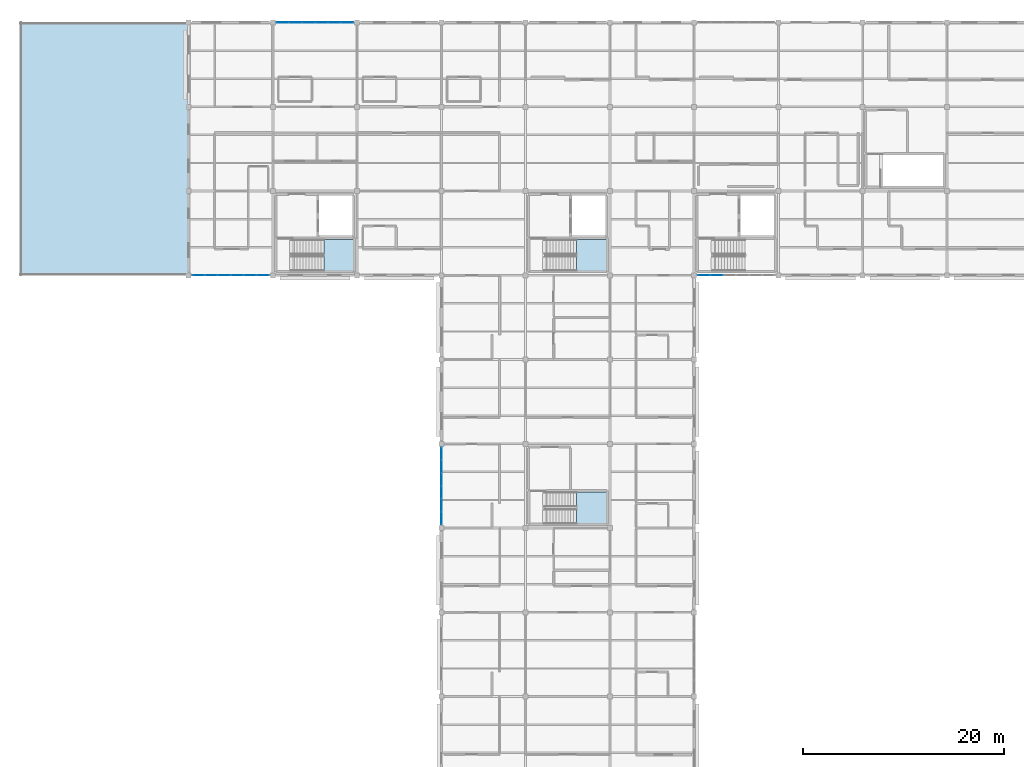
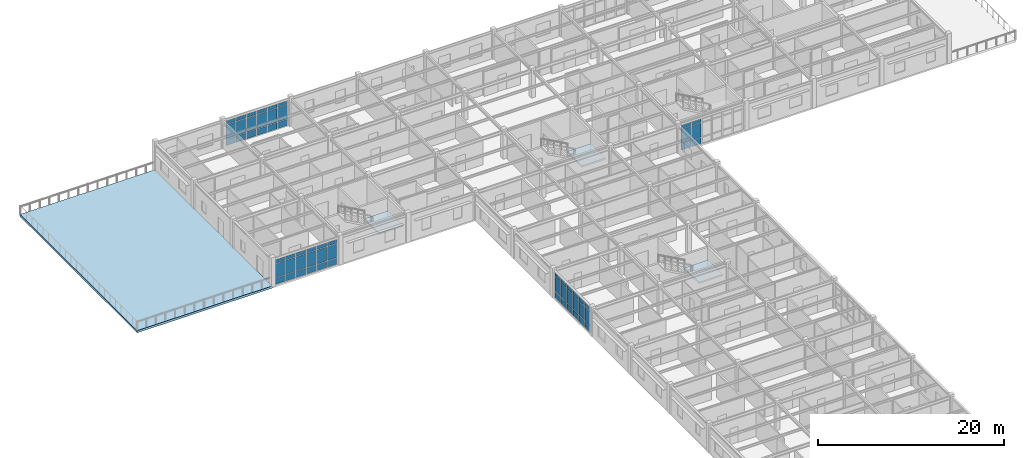
# One storey, part 30 of 53: 60 plates, 4 slabs, 7 elements without a shape of their own.
"""IFC4 building model written with IfcOpenShell, lengths in metres."""

from ifc_helpers import new_model, si_unit, direction, frame, origin, origin_2d, place, context, subcontext, project, spatial, polyline, rectangle, outline, extrude, material, layer, layer_set, type_object, element, aggregate, save


model = new_model("IFC4")

# Units and contexts
model_context = context("Model", 3, precision=1e-05, world=origin(), true_north=direction((0.0, 1.0)))
body_context = subcontext(model_context, "Body", "Model", "MODEL_VIEW")
ifc_project = project(units=[si_unit("LENGTHUNIT", "METRE"), si_unit("AREAUNIT", "SQUARE_METRE"), si_unit("VOLUMEUNIT", "CUBIC_METRE"), si_unit("PLANEANGLEUNIT", "RADIAN"), si_unit("MASSUNIT", "GRAM", prefix="KILO")], contexts=[model_context])

# Site, building, storey
site_placement = place(None, origin())
site = spatial("IfcSite", under=ifc_project, at=site_placement, CompositionType="ELEMENT")
building_placement = place(site_placement, origin())
building = spatial("IfcBuilding", under=site, at=building_placement, Name="Bramfleet General Hospital", CompositionType="ELEMENT")
storey_placement = place(building_placement, frame((0.0, 0.0, 26.39990234375)))
storey = spatial("IfcBuildingStorey", under=building, at=storey_placement, Name="L06", CompositionType="ELEMENT", Elevation=26.39990234375)

# Curtain wall, plates
ifc_material_1 = material(Name="Anodised aluminium and low-E triple glazing", Category="aluminium")
ifc_layer_1 = layer(ifc_material_1, 0.179931640625, Name="CWT-CW-15")
ifc_layer_set_1 = layer_set([ifc_layer_1], Name="Anodised aluminium and low-E triple glazing")
curtain_wall_type_1 = type_object("IfcCurtainWallType", Name="CWT-CW-15", PredefinedType="USERDEFINED", material=ifc_layer_set_1)
curtain_wall_1_placement = place(storey_placement, origin())
curtain_wall_1 = element("IfcCurtainWall", 1, at=curtain_wall_1_placement, inside=storey, type_object=curtain_wall_type_1, Name="L06 Curtain Wall 213", ObjectType="Stick curtain wall", PredefinedType="USERDEFINED")
ifc_material_2 = material(Name="Low-E laminated safety glass", Category="glass")
ifc_layer_2 = layer(ifc_material_2, 0.028076171875, Name="CWP-GLZ-1")
ifc_layer_set_2 = layer_set([ifc_layer_2], Name="Low-E laminated safety glass")
plate_type_1 = type_object("IfcPlateType", Name="CWP-GLZ-1", PredefinedType="CURTAIN_PANEL", material=ifc_layer_set_2)
plate_1_placement = place(storey_placement, frame((74.611572265625, 92.39990234375, 0.06494140625), z_axis=(0.0, 0.0, 1.0), x_axis=(-1.0, 0.0, 0.0)))
plate_1 = element("IfcPlate", 2, at=plate_1_placement, type_object=plate_type_1, Name="CW-15 panel 1.1", PredefinedType="CURTAIN_PANEL", context=body_context, shape_type="SweptSolid", body=[
    extrude(rectangle(XDim=1.186767578125, YDim=0.028076171875, at=origin_2d()), origin(), (0.0, 0.0, 1.0), 0.802490234375),
])
plate_2_placement = place(storey_placement, frame((74.611572265625, 92.39990234375, 0.9326171875), z_axis=(0.0, 0.0, 1.0), x_axis=(-1.0, 0.0, 0.0)))
plate_2 = element("IfcPlate", 3, at=plate_2_placement, type_object=plate_type_1, Name="CW-15 panel 1.2", PredefinedType="CURTAIN_PANEL", context=body_context, shape_type="SweptSolid", body=[
    extrude(rectangle(XDim=1.186767578125, YDim=0.028076171875, at=origin_2d()), origin(), (0.0, 0.0, 1.0), 1.844970703125),
])
plate_3_placement = place(storey_placement, frame((74.611572265625, 92.39990234375, 2.8427734375), z_axis=(0.0, 0.0, 1.0), x_axis=(-1.0, 0.0, 0.0)))
plate_3 = element("IfcPlate", 4, at=plate_3_placement, type_object=plate_type_1, Name="CW-15 panel 1.3", PredefinedType="CURTAIN_PANEL", context=body_context, shape_type="SweptSolid", body=[
    extrude(rectangle(XDim=1.186767578125, YDim=0.028076171875, at=origin_2d()), origin(), (0.0, 0.0, 1.0), 0.452392578125),
])
plate_4_placement = place(storey_placement, frame((73.33740234375, 92.39990234375, 0.06494140625), z_axis=(0.0, 0.0, 1.0), x_axis=(-1.0, 0.0, 0.0)))
plate_4 = element("IfcPlate", 5, at=plate_4_placement, type_object=plate_type_1, Name="CW-15 panel 2.1", PredefinedType="CURTAIN_PANEL", context=body_context, shape_type="SweptSolid", body=[
    extrude(rectangle(XDim=1.2216796875, YDim=0.028076171875, at=origin_2d()), origin(), (0.0, 0.0, 1.0), 0.802490234375),
])
plate_5_placement = place(storey_placement, frame((73.33740234375, 92.39990234375, 0.9326171875), z_axis=(0.0, 0.0, 1.0), x_axis=(-1.0, 0.0, 0.0)))
plate_5 = element("IfcPlate", 6, at=plate_5_placement, type_object=plate_type_1, Name="CW-15 panel 2.2", PredefinedType="CURTAIN_PANEL", context=body_context, shape_type="SweptSolid", body=[
    extrude(rectangle(XDim=1.2216796875, YDim=0.028076171875, at=origin_2d()), origin(), (0.0, 0.0, 1.0), 1.844970703125),
])
plate_6_placement = place(storey_placement, frame((73.33740234375, 92.39990234375, 2.8427734375), z_axis=(0.0, 0.0, 1.0), x_axis=(-1.0, 0.0, 0.0)))
plate_6 = element("IfcPlate", 7, at=plate_6_placement, type_object=plate_type_1, Name="CW-15 panel 2.3", PredefinedType="CURTAIN_PANEL", context=body_context, shape_type="SweptSolid", body=[
    extrude(rectangle(XDim=1.2216796875, YDim=0.028076171875, at=origin_2d()), origin(), (0.0, 0.0, 1.0), 0.452392578125),
])
plate_7_placement = place(storey_placement, frame((72.0458984375, 92.39990234375, 0.06494140625), z_axis=(0.0, 0.0, 1.0), x_axis=(-1.0, 0.0, 0.0)))
plate_7 = element("IfcPlate", 8, at=plate_7_placement, type_object=plate_type_1, Name="CW-15 panel 3.1", PredefinedType="CURTAIN_PANEL", context=body_context, shape_type="SweptSolid", body=[
    extrude(rectangle(XDim=1.2216796875, YDim=0.028076171875, at=origin_2d()), origin(), (0.0, 0.0, 1.0), 0.802490234375),
])
plate_8_placement = place(storey_placement, frame((72.0458984375, 92.39990234375, 0.9326171875), z_axis=(0.0, 0.0, 1.0), x_axis=(-1.0, 0.0, 0.0)))
plate_8 = element("IfcPlate", 9, at=plate_8_placement, type_object=plate_type_1, Name="CW-15 panel 3.2", PredefinedType="CURTAIN_PANEL", context=body_context, shape_type="SweptSolid", body=[
    extrude(rectangle(XDim=1.2216796875, YDim=0.028076171875, at=origin_2d()), origin(), (0.0, 0.0, 1.0), 1.844970703125),
])
plate_9_placement = place(storey_placement, frame((72.0458984375, 92.39990234375, 2.8427734375), z_axis=(0.0, 0.0, 1.0), x_axis=(-1.0, 0.0, 0.0)))
plate_9 = element("IfcPlate", 10, at=plate_9_placement, type_object=plate_type_1, Name="CW-15 panel 3.3", PredefinedType="CURTAIN_PANEL", context=body_context, shape_type="SweptSolid", body=[
    extrude(rectangle(XDim=1.2216796875, YDim=0.028076171875, at=origin_2d()), origin(), (0.0, 0.0, 1.0), 0.452392578125),
])
plate_10_placement = place(storey_placement, frame((70.754150390625, 92.39990234375, 0.06494140625), z_axis=(0.0, 0.0, 1.0), x_axis=(-1.0, 0.0, 0.0)))
plate_10 = element("IfcPlate", 11, at=plate_10_placement, type_object=plate_type_1, Name="CW-15 panel 4.1", PredefinedType="CURTAIN_PANEL", context=body_context, shape_type="SweptSolid", body=[
    extrude(rectangle(XDim=1.2216796875, YDim=0.028076171875, at=origin_2d()), origin(), (0.0, 0.0, 1.0), 0.802490234375),
])
plate_11_placement = place(storey_placement, frame((70.754150390625, 92.39990234375, 0.9326171875), z_axis=(0.0, 0.0, 1.0), x_axis=(-1.0, 0.0, 0.0)))
plate_11 = element("IfcPlate", 12, at=plate_11_placement, type_object=plate_type_1, Name="CW-15 panel 4.2", PredefinedType="CURTAIN_PANEL", context=body_context, shape_type="SweptSolid", body=[
    extrude(rectangle(XDim=1.2216796875, YDim=0.028076171875, at=origin_2d()), origin(), (0.0, 0.0, 1.0), 1.844970703125),
])
plate_12_placement = place(storey_placement, frame((70.754150390625, 92.39990234375, 2.8427734375), z_axis=(0.0, 0.0, 1.0), x_axis=(-1.0, 0.0, 0.0)))
plate_12 = element("IfcPlate", 13, at=plate_12_placement, type_object=plate_type_1, Name="CW-15 panel 4.3", PredefinedType="CURTAIN_PANEL", context=body_context, shape_type="SweptSolid", body=[
    extrude(rectangle(XDim=1.2216796875, YDim=0.028076171875, at=origin_2d()), origin(), (0.0, 0.0, 1.0), 0.452392578125),
])
plate_13_placement = place(storey_placement, frame((69.46240234375, 92.39990234375, 0.06494140625), z_axis=(0.0, 0.0, 1.0), x_axis=(-1.0, 0.0, 0.0)))
plate_13 = element("IfcPlate", 14, at=plate_13_placement, type_object=plate_type_1, Name="CW-15 panel 5.1", PredefinedType="CURTAIN_PANEL", context=body_context, shape_type="SweptSolid", body=[
    extrude(rectangle(XDim=1.2216796875, YDim=0.028076171875, at=origin_2d()), origin(), (0.0, 0.0, 1.0), 0.802490234375),
])
plate_14_placement = place(storey_placement, frame((69.46240234375, 92.39990234375, 0.9326171875), z_axis=(0.0, 0.0, 1.0), x_axis=(-1.0, 0.0, 0.0)))
plate_14 = element("IfcPlate", 15, at=plate_14_placement, type_object=plate_type_1, Name="CW-15 panel 5.2", PredefinedType="CURTAIN_PANEL", context=body_context, shape_type="SweptSolid", body=[
    extrude(rectangle(XDim=1.2216796875, YDim=0.028076171875, at=origin_2d()), origin(), (0.0, 0.0, 1.0), 1.844970703125),
])
plate_15_placement = place(storey_placement, frame((69.46240234375, 92.39990234375, 2.8427734375), z_axis=(0.0, 0.0, 1.0), x_axis=(-1.0, 0.0, 0.0)))
plate_15 = element("IfcPlate", 16, at=plate_15_placement, type_object=plate_type_1, Name="CW-15 panel 5.3", PredefinedType="CURTAIN_PANEL", context=body_context, shape_type="SweptSolid", body=[
    extrude(rectangle(XDim=1.2216796875, YDim=0.028076171875, at=origin_2d()), origin(), (0.0, 0.0, 1.0), 0.452392578125),
])
plate_16_placement = place(storey_placement, frame((68.188232421875, 92.39990234375, 0.06494140625), z_axis=(0.0, 0.0, 1.0), x_axis=(-1.0, 0.0, 0.0)))
plate_16 = element("IfcPlate", 17, at=plate_16_placement, type_object=plate_type_1, Name="CW-15 panel 6.1", PredefinedType="CURTAIN_PANEL", context=body_context, shape_type="SweptSolid", body=[
    extrude(rectangle(XDim=1.186767578125, YDim=0.028076171875, at=origin_2d()), origin(), (0.0, 0.0, 1.0), 0.802490234375),
])
plate_17_placement = place(storey_placement, frame((68.188232421875, 92.39990234375, 0.9326171875), z_axis=(0.0, 0.0, 1.0), x_axis=(-1.0, 0.0, 0.0)))
plate_17 = element("IfcPlate", 18, at=plate_17_placement, type_object=plate_type_1, Name="CW-15 panel 6.2", PredefinedType="CURTAIN_PANEL", context=body_context, shape_type="SweptSolid", body=[
    extrude(rectangle(XDim=1.186767578125, YDim=0.028076171875, at=origin_2d()), origin(), (0.0, 0.0, 1.0), 1.844970703125),
])
plate_18_placement = place(storey_placement, frame((68.188232421875, 92.39990234375, 2.8427734375), z_axis=(0.0, 0.0, 1.0), x_axis=(-1.0, 0.0, 0.0)))
plate_18 = element("IfcPlate", 19, at=plate_18_placement, type_object=plate_type_1, Name="CW-15 panel 6.3", PredefinedType="CURTAIN_PANEL", context=body_context, shape_type="SweptSolid", body=[
    extrude(rectangle(XDim=1.186767578125, YDim=0.028076171875, at=origin_2d()), origin(), (0.0, 0.0, 1.0), 0.452392578125),
])
aggregate(curtain_wall_1, [plate_1, plate_2, plate_3, plate_4, plate_5, plate_6, plate_7, plate_8, plate_9, plate_10, plate_11, plate_12, plate_13, plate_14, plate_15, plate_16, plate_17, plate_18])

ifc_layer_3 = layer(ifc_material_1, 0.179931640625, Name="CWT-CW-01")
ifc_layer_set_3 = layer_set([ifc_layer_3], Name="Anodised aluminium and low-E triple glazing")
curtain_wall_type_2 = type_object("IfcCurtainWallType", Name="CWT-CW-01", PredefinedType="USERDEFINED", material=ifc_layer_set_3)
curtain_wall_2_placement = place(storey_placement, origin())
curtain_wall_2 = element("IfcCurtainWall", 20, at=curtain_wall_2_placement, inside=storey, type_object=curtain_wall_type_2, Name="L06 Curtain Wall 217", ObjectType="Unitised curtain wall", PredefinedType="USERDEFINED")
plate_19_placement = place(storey_placement, frame((119.862548828125, 92.39990234375, 0.06494140625), z_axis=(0.0, 0.0, 1.0), x_axis=(-1.0, 0.0, 0.0)))
plate_19 = element("IfcPlate", 21, at=plate_19_placement, type_object=plate_type_1, Name="CW-01 panel 5.1", PredefinedType="CURTAIN_PANEL", context=body_context, shape_type="SweptSolid", body=[
    extrude(rectangle(XDim=1.2216796875, YDim=0.028076171875, at=origin_2d()), origin(), (0.0, 0.0, 1.0), 0.802490234375),
])
plate_20_placement = place(storey_placement, frame((119.862548828125, 92.39990234375, 0.9326171875), z_axis=(0.0, 0.0, 1.0), x_axis=(-1.0, 0.0, 0.0)))
plate_20 = element("IfcPlate", 22, at=plate_20_placement, type_object=plate_type_1, Name="CW-01 panel 5.2", PredefinedType="CURTAIN_PANEL", context=body_context, shape_type="SweptSolid", body=[
    extrude(rectangle(XDim=1.2216796875, YDim=0.028076171875, at=origin_2d()), origin(), (0.0, 0.0, 1.0), 1.844970703125),
])
plate_21_placement = place(storey_placement, frame((119.862548828125, 92.39990234375, 2.8427734375), z_axis=(0.0, 0.0, 1.0), x_axis=(-1.0, 0.0, 0.0)))
plate_21 = element("IfcPlate", 23, at=plate_21_placement, type_object=plate_type_1, Name="CW-01 panel 5.3", PredefinedType="CURTAIN_PANEL", context=body_context, shape_type="SweptSolid", body=[
    extrude(rectangle(XDim=1.2216796875, YDim=0.028076171875, at=origin_2d()), origin(), (0.0, 0.0, 1.0), 0.452392578125),
])
plate_22_placement = place(storey_placement, frame((118.58837890625, 92.39990234375, 0.06494140625), z_axis=(0.0, 0.0, 1.0), x_axis=(-1.0, 0.0, 0.0)))
plate_22 = element("IfcPlate", 24, at=plate_22_placement, type_object=plate_type_1, Name="CW-01 panel 6.1", PredefinedType="CURTAIN_PANEL", context=body_context, shape_type="SweptSolid", body=[
    extrude(rectangle(XDim=1.186767578125, YDim=0.028076171875, at=origin_2d()), origin(), (0.0, 0.0, 1.0), 0.802490234375),
])
plate_23_placement = place(storey_placement, frame((118.58837890625, 92.39990234375, 0.9326171875), z_axis=(0.0, 0.0, 1.0), x_axis=(-1.0, 0.0, 0.0)))
plate_23 = element("IfcPlate", 25, at=plate_23_placement, type_object=plate_type_1, Name="CW-01 panel 6.2", PredefinedType="CURTAIN_PANEL", context=body_context, shape_type="SweptSolid", body=[
    extrude(rectangle(XDim=1.186767578125, YDim=0.028076171875, at=origin_2d()), origin(), (0.0, 0.0, 1.0), 1.844970703125),
])
plate_24_placement = place(storey_placement, frame((118.58837890625, 92.39990234375, 2.8427734375), z_axis=(0.0, 0.0, 1.0), x_axis=(-1.0, 0.0, 0.0)))
plate_24 = element("IfcPlate", 26, at=plate_24_placement, type_object=plate_type_1, Name="CW-01 panel 6.3", PredefinedType="CURTAIN_PANEL", context=body_context, shape_type="SweptSolid", body=[
    extrude(rectangle(XDim=1.186767578125, YDim=0.028076171875, at=origin_2d()), origin(), (0.0, 0.0, 1.0), 0.452392578125),
])
aggregate(curtain_wall_2, [plate_19, plate_20, plate_21, plate_22, plate_23, plate_24])

ifc_layer_4 = layer(ifc_material_1, 0.179931640625, Name="CWT-CW-16")
ifc_layer_set_4 = layer_set([ifc_layer_4], Name="Anodised aluminium and low-E triple glazing")
curtain_wall_type_3 = type_object("IfcCurtainWallType", Name="CWT-CW-16", PredefinedType="USERDEFINED", material=ifc_layer_set_4)
curtain_wall_3_placement = place(storey_placement, origin())
curtain_wall_3 = element("IfcCurtainWall", 27, at=curtain_wall_3_placement, inside=storey, type_object=curtain_wall_type_3, Name="L06 Curtain Wall 214", ObjectType="Stick curtain wall", PredefinedType="USERDEFINED")
ifc_layer_5 = layer(ifc_material_2, 0.031982421875, Name="CWP-GLZ-2")
ifc_layer_set_5 = layer_set([ifc_layer_5], Name="Low-E laminated safety glass")
plate_type_2 = type_object("IfcPlateType", Name="CWP-GLZ-2", PredefinedType="CURTAIN_PANEL", material=ifc_layer_set_5)
plate_25_placement = place(storey_placement, frame((76.58837890625, 117.60009765625, 0.06494140625), z_axis=(0.0, 0.0, 1.0), x_axis=(1.0, 0.0, 0.0)))
plate_25 = element("IfcPlate", 28, at=plate_25_placement, type_object=plate_type_2, Name="CW-16 panel 1.1", PredefinedType="CURTAIN_PANEL", context=body_context, shape_type="SweptSolid", body=[
    extrude(rectangle(XDim=1.186767578125, YDim=0.031982421875, at=origin_2d()), origin(), (0.0, 0.0, 1.0), 0.802490234375),
])
plate_26_placement = place(storey_placement, frame((76.58837890625, 117.60009765625, 0.9326171875), z_axis=(0.0, 0.0, 1.0), x_axis=(1.0, 0.0, 0.0)))
plate_26 = element("IfcPlate", 29, at=plate_26_placement, type_object=plate_type_2, Name="CW-16 panel 1.2", PredefinedType="CURTAIN_PANEL", context=body_context, shape_type="SweptSolid", body=[
    extrude(rectangle(XDim=1.186767578125, YDim=0.031982421875, at=origin_2d()), origin(), (0.0, 0.0, 1.0), 1.844970703125),
])
plate_27_placement = place(storey_placement, frame((76.58837890625, 117.60009765625, 2.8427734375), z_axis=(0.0, 0.0, 1.0), x_axis=(1.0, 0.0, 0.0)))
plate_27 = element("IfcPlate", 30, at=plate_27_placement, type_object=plate_type_2, Name="CW-16 panel 1.3", PredefinedType="CURTAIN_PANEL", context=body_context, shape_type="SweptSolid", body=[
    extrude(rectangle(XDim=1.186767578125, YDim=0.031982421875, at=origin_2d()), origin(), (0.0, 0.0, 1.0), 0.452392578125),
])
plate_28_placement = place(storey_placement, frame((77.862548828125, 117.60009765625, 0.06494140625), z_axis=(0.0, 0.0, 1.0), x_axis=(1.0, 0.0, 0.0)))
plate_28 = element("IfcPlate", 31, at=plate_28_placement, type_object=plate_type_2, Name="CW-16 panel 2.1", PredefinedType="CURTAIN_PANEL", context=body_context, shape_type="SweptSolid", body=[
    extrude(rectangle(XDim=1.2216796875, YDim=0.031982421875, at=origin_2d()), origin(), (0.0, 0.0, 1.0), 0.802490234375),
])
plate_29_placement = place(storey_placement, frame((77.862548828125, 117.60009765625, 0.9326171875), z_axis=(0.0, 0.0, 1.0), x_axis=(1.0, 0.0, 0.0)))
plate_29 = element("IfcPlate", 32, at=plate_29_placement, type_object=plate_type_2, Name="CW-16 panel 2.2", PredefinedType="CURTAIN_PANEL", context=body_context, shape_type="SweptSolid", body=[
    extrude(rectangle(XDim=1.2216796875, YDim=0.031982421875, at=origin_2d()), origin(), (0.0, 0.0, 1.0), 1.844970703125),
])
plate_30_placement = place(storey_placement, frame((77.862548828125, 117.60009765625, 2.8427734375), z_axis=(0.0, 0.0, 1.0), x_axis=(1.0, 0.0, 0.0)))
plate_30 = element("IfcPlate", 33, at=plate_30_placement, type_object=plate_type_2, Name="CW-16 panel 2.3", PredefinedType="CURTAIN_PANEL", context=body_context, shape_type="SweptSolid", body=[
    extrude(rectangle(XDim=1.2216796875, YDim=0.031982421875, at=origin_2d()), origin(), (0.0, 0.0, 1.0), 0.452392578125),
])
plate_31_placement = place(storey_placement, frame((79.154052734375, 117.60009765625, 0.06494140625), z_axis=(0.0, 0.0, 1.0), x_axis=(1.0, 0.0, 0.0)))
plate_31 = element("IfcPlate", 34, at=plate_31_placement, type_object=plate_type_2, Name="CW-16 panel 3.1", PredefinedType="CURTAIN_PANEL", context=body_context, shape_type="SweptSolid", body=[
    extrude(rectangle(XDim=1.2216796875, YDim=0.031982421875, at=origin_2d()), origin(), (0.0, 0.0, 1.0), 0.802490234375),
])
plate_32_placement = place(storey_placement, frame((79.154052734375, 117.60009765625, 0.9326171875), z_axis=(0.0, 0.0, 1.0), x_axis=(1.0, 0.0, 0.0)))
plate_32 = element("IfcPlate", 35, at=plate_32_placement, type_object=plate_type_2, Name="CW-16 panel 3.2", PredefinedType="CURTAIN_PANEL", context=body_context, shape_type="SweptSolid", body=[
    extrude(rectangle(XDim=1.2216796875, YDim=0.031982421875, at=origin_2d()), origin(), (0.0, 0.0, 1.0), 1.844970703125),
])
plate_33_placement = place(storey_placement, frame((79.154052734375, 117.60009765625, 2.8427734375), z_axis=(0.0, 0.0, 1.0), x_axis=(1.0, 0.0, 0.0)))
plate_33 = element("IfcPlate", 36, at=plate_33_placement, type_object=plate_type_2, Name="CW-16 panel 3.3", PredefinedType="CURTAIN_PANEL", context=body_context, shape_type="SweptSolid", body=[
    extrude(rectangle(XDim=1.2216796875, YDim=0.031982421875, at=origin_2d()), origin(), (0.0, 0.0, 1.0), 0.452392578125),
])
plate_34_placement = place(storey_placement, frame((80.44580078125, 117.60009765625, 0.06494140625), z_axis=(0.0, 0.0, 1.0), x_axis=(1.0, 0.0, 0.0)))
plate_34 = element("IfcPlate", 37, at=plate_34_placement, type_object=plate_type_2, Name="CW-16 panel 4.1", PredefinedType="CURTAIN_PANEL", context=body_context, shape_type="SweptSolid", body=[
    extrude(rectangle(XDim=1.2216796875, YDim=0.031982421875, at=origin_2d()), origin(), (0.0, 0.0, 1.0), 0.802490234375),
])
plate_35_placement = place(storey_placement, frame((80.44580078125, 117.60009765625, 0.9326171875), z_axis=(0.0, 0.0, 1.0), x_axis=(1.0, 0.0, 0.0)))
plate_35 = element("IfcPlate", 38, at=plate_35_placement, type_object=plate_type_2, Name="CW-16 panel 4.2", PredefinedType="CURTAIN_PANEL", context=body_context, shape_type="SweptSolid", body=[
    extrude(rectangle(XDim=1.2216796875, YDim=0.031982421875, at=origin_2d()), origin(), (0.0, 0.0, 1.0), 1.844970703125),
])
plate_36_placement = place(storey_placement, frame((80.44580078125, 117.60009765625, 2.8427734375), z_axis=(0.0, 0.0, 1.0), x_axis=(1.0, 0.0, 0.0)))
plate_36 = element("IfcPlate", 39, at=plate_36_placement, type_object=plate_type_2, Name="CW-16 panel 4.3", PredefinedType="CURTAIN_PANEL", context=body_context, shape_type="SweptSolid", body=[
    extrude(rectangle(XDim=1.2216796875, YDim=0.031982421875, at=origin_2d()), origin(), (0.0, 0.0, 1.0), 0.452392578125),
])
plate_37_placement = place(storey_placement, frame((81.737548828125, 117.60009765625, 0.06494140625), z_axis=(0.0, 0.0, 1.0), x_axis=(1.0, 0.0, 0.0)))
plate_37 = element("IfcPlate", 40, at=plate_37_placement, type_object=plate_type_2, Name="CW-16 panel 5.1", PredefinedType="CURTAIN_PANEL", context=body_context, shape_type="SweptSolid", body=[
    extrude(rectangle(XDim=1.2216796875, YDim=0.031982421875, at=origin_2d()), origin(), (0.0, 0.0, 1.0), 0.802490234375),
])
plate_38_placement = place(storey_placement, frame((81.737548828125, 117.60009765625, 0.9326171875), z_axis=(0.0, 0.0, 1.0), x_axis=(1.0, 0.0, 0.0)))
plate_38 = element("IfcPlate", 41, at=plate_38_placement, type_object=plate_type_2, Name="CW-16 panel 5.2", PredefinedType="CURTAIN_PANEL", context=body_context, shape_type="SweptSolid", body=[
    extrude(rectangle(XDim=1.2216796875, YDim=0.031982421875, at=origin_2d()), origin(), (0.0, 0.0, 1.0), 1.844970703125),
])
plate_39_placement = place(storey_placement, frame((81.737548828125, 117.60009765625, 2.8427734375), z_axis=(0.0, 0.0, 1.0), x_axis=(1.0, 0.0, 0.0)))
plate_39 = element("IfcPlate", 42, at=plate_39_placement, type_object=plate_type_2, Name="CW-16 panel 5.3", PredefinedType="CURTAIN_PANEL", context=body_context, shape_type="SweptSolid", body=[
    extrude(rectangle(XDim=1.2216796875, YDim=0.031982421875, at=origin_2d()), origin(), (0.0, 0.0, 1.0), 0.452392578125),
])
plate_40_placement = place(storey_placement, frame((83.01171875, 117.60009765625, 0.06494140625), z_axis=(0.0, 0.0, 1.0), x_axis=(1.0, 0.0, 0.0)))
plate_40 = element("IfcPlate", 43, at=plate_40_placement, type_object=plate_type_2, Name="CW-16 panel 6.1", PredefinedType="CURTAIN_PANEL", context=body_context, shape_type="SweptSolid", body=[
    extrude(rectangle(XDim=1.186767578125, YDim=0.031982421875, at=origin_2d()), origin(), (0.0, 0.0, 1.0), 0.802490234375),
])
plate_41_placement = place(storey_placement, frame((83.01171875, 117.60009765625, 0.9326171875), z_axis=(0.0, 0.0, 1.0), x_axis=(1.0, 0.0, 0.0)))
plate_41 = element("IfcPlate", 44, at=plate_41_placement, type_object=plate_type_2, Name="CW-16 panel 6.2", PredefinedType="CURTAIN_PANEL", context=body_context, shape_type="SweptSolid", body=[
    extrude(rectangle(XDim=1.186767578125, YDim=0.031982421875, at=origin_2d()), origin(), (0.0, 0.0, 1.0), 1.844970703125),
])
plate_42_placement = place(storey_placement, frame((83.01171875, 117.60009765625, 2.8427734375), z_axis=(0.0, 0.0, 1.0), x_axis=(1.0, 0.0, 0.0)))
plate_42 = element("IfcPlate", 45, at=plate_42_placement, type_object=plate_type_2, Name="CW-16 panel 6.3", PredefinedType="CURTAIN_PANEL", context=body_context, shape_type="SweptSolid", body=[
    extrude(rectangle(XDim=1.186767578125, YDim=0.031982421875, at=origin_2d()), origin(), (0.0, 0.0, 1.0), 0.452392578125),
])
aggregate(curtain_wall_3, [plate_25, plate_26, plate_27, plate_28, plate_29, plate_30, plate_31, plate_32, plate_33, plate_34, plate_35, plate_36, plate_37, plate_38, plate_39, plate_40, plate_41, plate_42])

ifc_layer_6 = layer(ifc_material_1, 0.179931640625, Name="CWT-CW-14")
ifc_layer_set_6 = layer_set([ifc_layer_6], Name="Anodised aluminium and low-E triple glazing")
curtain_wall_type_4 = type_object("IfcCurtainWallType", Name="CWT-CW-14", PredefinedType="USERDEFINED", material=ifc_layer_set_6)
curtain_wall_4_placement = place(storey_placement, origin())
curtain_wall_4 = element("IfcCurtainWall", 46, at=curtain_wall_4_placement, inside=storey, type_object=curtain_wall_type_4, Name="L06 Curtain Wall 212", ObjectType="Stick curtain wall", PredefinedType="USERDEFINED")
ifc_layer_7 = layer(ifc_material_2, 0.0419921875, Name="CWP-GLZ-4")
ifc_layer_set_7 = layer_set([ifc_layer_7], Name="Low-E laminated safety glass")
plate_type_3 = type_object("IfcPlateType", Name="CWP-GLZ-4", PredefinedType="CURTAIN_PANEL", material=ifc_layer_set_7)
plate_43_placement = place(storey_placement, frame((92.39990234375, 68.188232421875, 0.06494140625), z_axis=(0.0, 0.0, 1.0), x_axis=(0.0, 1.0, 0.0)))
plate_43 = element("IfcPlate", 47, at=plate_43_placement, type_object=plate_type_3, Name="CW-14 panel 1.1", PredefinedType="CURTAIN_PANEL", context=body_context, shape_type="SweptSolid", body=[
    extrude(rectangle(XDim=1.186767578125, YDim=0.0419921875, at=origin_2d()), origin(), (0.0, 0.0, 1.0), 0.802490234375),
])
plate_44_placement = place(storey_placement, frame((92.39990234375, 68.188232421875, 0.9326171875), z_axis=(0.0, 0.0, 1.0), x_axis=(0.0, 1.0, 0.0)))
plate_44 = element("IfcPlate", 48, at=plate_44_placement, type_object=plate_type_3, Name="CW-14 panel 1.2", PredefinedType="CURTAIN_PANEL", context=body_context, shape_type="SweptSolid", body=[
    extrude(rectangle(XDim=1.186767578125, YDim=0.0419921875, at=origin_2d()), origin(), (0.0, 0.0, 1.0), 1.864990234375),
])
plate_45_placement = place(storey_placement, frame((92.39990234375, 68.188232421875, 2.86279296875), z_axis=(0.0, 0.0, 1.0), x_axis=(0.0, 1.0, 0.0)))
plate_45 = element("IfcPlate", 49, at=plate_45_placement, type_object=plate_type_3, Name="CW-14 panel 1.3", PredefinedType="CURTAIN_PANEL", context=body_context, shape_type="SweptSolid", body=[
    extrude(rectangle(XDim=1.186767578125, YDim=0.0419921875, at=origin_2d()), origin(), (0.0, 0.0, 1.0), 0.452392578125),
])
plate_46_placement = place(storey_placement, frame((92.39990234375, 69.46240234375, 0.06494140625), z_axis=(0.0, 0.0, 1.0), x_axis=(0.0, 1.0, 0.0)))
plate_46 = element("IfcPlate", 50, at=plate_46_placement, type_object=plate_type_3, Name="CW-14 panel 2.1", PredefinedType="CURTAIN_PANEL", context=body_context, shape_type="SweptSolid", body=[
    extrude(rectangle(XDim=1.2216796875, YDim=0.0419921875, at=origin_2d()), origin(), (0.0, 0.0, 1.0), 0.802490234375),
])
plate_47_placement = place(storey_placement, frame((92.39990234375, 69.46240234375, 0.9326171875), z_axis=(0.0, 0.0, 1.0), x_axis=(0.0, 1.0, 0.0)))
plate_47 = element("IfcPlate", 51, at=plate_47_placement, type_object=plate_type_3, Name="CW-14 panel 2.2", PredefinedType="CURTAIN_PANEL", context=body_context, shape_type="SweptSolid", body=[
    extrude(rectangle(XDim=1.2216796875, YDim=0.0419921875, at=origin_2d()), origin(), (0.0, 0.0, 1.0), 1.864990234375),
])
plate_48_placement = place(storey_placement, frame((92.39990234375, 69.46240234375, 2.86279296875), z_axis=(0.0, 0.0, 1.0), x_axis=(0.0, 1.0, 0.0)))
plate_48 = element("IfcPlate", 52, at=plate_48_placement, type_object=plate_type_3, Name="CW-14 panel 2.3", PredefinedType="CURTAIN_PANEL", context=body_context, shape_type="SweptSolid", body=[
    extrude(rectangle(XDim=1.2216796875, YDim=0.0419921875, at=origin_2d()), origin(), (0.0, 0.0, 1.0), 0.452392578125),
])
plate_49_placement = place(storey_placement, frame((92.39990234375, 70.754150390625, 0.06494140625), z_axis=(0.0, 0.0, 1.0), x_axis=(0.0, 1.0, 0.0)))
plate_49 = element("IfcPlate", 53, at=plate_49_placement, type_object=plate_type_3, Name="CW-14 panel 3.1", PredefinedType="CURTAIN_PANEL", context=body_context, shape_type="SweptSolid", body=[
    extrude(rectangle(XDim=1.2216796875, YDim=0.0419921875, at=origin_2d()), origin(), (0.0, 0.0, 1.0), 0.802490234375),
])
plate_50_placement = place(storey_placement, frame((92.39990234375, 70.754150390625, 0.9326171875), z_axis=(0.0, 0.0, 1.0), x_axis=(0.0, 1.0, 0.0)))
plate_50 = element("IfcPlate", 54, at=plate_50_placement, type_object=plate_type_3, Name="CW-14 panel 3.2", PredefinedType="CURTAIN_PANEL", context=body_context, shape_type="SweptSolid", body=[
    extrude(rectangle(XDim=1.2216796875, YDim=0.0419921875, at=origin_2d()), origin(), (0.0, 0.0, 1.0), 1.864990234375),
])
plate_51_placement = place(storey_placement, frame((92.39990234375, 70.754150390625, 2.86279296875), z_axis=(0.0, 0.0, 1.0), x_axis=(0.0, 1.0, 0.0)))
plate_51 = element("IfcPlate", 55, at=plate_51_placement, type_object=plate_type_3, Name="CW-14 panel 3.3", PredefinedType="CURTAIN_PANEL", context=body_context, shape_type="SweptSolid", body=[
    extrude(rectangle(XDim=1.2216796875, YDim=0.0419921875, at=origin_2d()), origin(), (0.0, 0.0, 1.0), 0.452392578125),
])
plate_52_placement = place(storey_placement, frame((92.39990234375, 72.0458984375, 0.06494140625), z_axis=(0.0, 0.0, 1.0), x_axis=(0.0, 1.0, 0.0)))
plate_52 = element("IfcPlate", 56, at=plate_52_placement, type_object=plate_type_3, Name="CW-14 panel 4.1", PredefinedType="CURTAIN_PANEL", context=body_context, shape_type="SweptSolid", body=[
    extrude(rectangle(XDim=1.2216796875, YDim=0.0419921875, at=origin_2d()), origin(), (0.0, 0.0, 1.0), 0.802490234375),
])
plate_53_placement = place(storey_placement, frame((92.39990234375, 72.0458984375, 0.9326171875), z_axis=(0.0, 0.0, 1.0), x_axis=(0.0, 1.0, 0.0)))
plate_53 = element("IfcPlate", 57, at=plate_53_placement, type_object=plate_type_3, Name="CW-14 panel 4.2", PredefinedType="CURTAIN_PANEL", context=body_context, shape_type="SweptSolid", body=[
    extrude(rectangle(XDim=1.2216796875, YDim=0.0419921875, at=origin_2d()), origin(), (0.0, 0.0, 1.0), 1.864990234375),
])
plate_54_placement = place(storey_placement, frame((92.39990234375, 72.0458984375, 2.86279296875), z_axis=(0.0, 0.0, 1.0), x_axis=(0.0, 1.0, 0.0)))
plate_54 = element("IfcPlate", 58, at=plate_54_placement, type_object=plate_type_3, Name="CW-14 panel 4.3", PredefinedType="CURTAIN_PANEL", context=body_context, shape_type="SweptSolid", body=[
    extrude(rectangle(XDim=1.2216796875, YDim=0.0419921875, at=origin_2d()), origin(), (0.0, 0.0, 1.0), 0.452392578125),
])
plate_55_placement = place(storey_placement, frame((92.39990234375, 73.33740234375, 0.06494140625), z_axis=(0.0, 0.0, 1.0), x_axis=(0.0, 1.0, 0.0)))
plate_55 = element("IfcPlate", 59, at=plate_55_placement, type_object=plate_type_3, Name="CW-14 panel 5.1", PredefinedType="CURTAIN_PANEL", context=body_context, shape_type="SweptSolid", body=[
    extrude(rectangle(XDim=1.2216796875, YDim=0.0419921875, at=origin_2d()), origin(), (0.0, 0.0, 1.0), 0.802490234375),
])
plate_56_placement = place(storey_placement, frame((92.39990234375, 73.33740234375, 0.9326171875), z_axis=(0.0, 0.0, 1.0), x_axis=(0.0, 1.0, 0.0)))
plate_56 = element("IfcPlate", 60, at=plate_56_placement, type_object=plate_type_3, Name="CW-14 panel 5.2", PredefinedType="CURTAIN_PANEL", context=body_context, shape_type="SweptSolid", body=[
    extrude(rectangle(XDim=1.2216796875, YDim=0.0419921875, at=origin_2d()), origin(), (0.0, 0.0, 1.0), 1.864990234375),
])
plate_57_placement = place(storey_placement, frame((92.39990234375, 73.33740234375, 2.86279296875), z_axis=(0.0, 0.0, 1.0), x_axis=(0.0, 1.0, 0.0)))
plate_57 = element("IfcPlate", 61, at=plate_57_placement, type_object=plate_type_3, Name="CW-14 panel 5.3", PredefinedType="CURTAIN_PANEL", context=body_context, shape_type="SweptSolid", body=[
    extrude(rectangle(XDim=1.2216796875, YDim=0.0419921875, at=origin_2d()), origin(), (0.0, 0.0, 1.0), 0.452392578125),
])
plate_58_placement = place(storey_placement, frame((92.39990234375, 74.611572265625, 0.06494140625), z_axis=(0.0, 0.0, 1.0), x_axis=(0.0, 1.0, 0.0)))
plate_58 = element("IfcPlate", 62, at=plate_58_placement, type_object=plate_type_3, Name="CW-14 panel 6.1", PredefinedType="CURTAIN_PANEL", context=body_context, shape_type="SweptSolid", body=[
    extrude(rectangle(XDim=1.186767578125, YDim=0.0419921875, at=origin_2d()), origin(), (0.0, 0.0, 1.0), 0.802490234375),
])
plate_59_placement = place(storey_placement, frame((92.39990234375, 74.611572265625, 0.9326171875), z_axis=(0.0, 0.0, 1.0), x_axis=(0.0, 1.0, 0.0)))
plate_59 = element("IfcPlate", 63, at=plate_59_placement, type_object=plate_type_3, Name="CW-14 panel 6.2", PredefinedType="CURTAIN_PANEL", context=body_context, shape_type="SweptSolid", body=[
    extrude(rectangle(XDim=1.186767578125, YDim=0.0419921875, at=origin_2d()), origin(), (0.0, 0.0, 1.0), 1.864990234375),
])
plate_60_placement = place(storey_placement, frame((92.39990234375, 74.611572265625, 2.86279296875), z_axis=(0.0, 0.0, 1.0), x_axis=(0.0, 1.0, 0.0)))
plate_60 = element("IfcPlate", 64, at=plate_60_placement, type_object=plate_type_3, Name="CW-14 panel 6.3", PredefinedType="CURTAIN_PANEL", context=body_context, shape_type="SweptSolid", body=[
    extrude(rectangle(XDim=1.186767578125, YDim=0.0419921875, at=origin_2d()), origin(), (0.0, 0.0, 1.0), 0.452392578125),
])
aggregate(curtain_wall_4, [plate_43, plate_44, plate_45, plate_46, plate_47, plate_48, plate_49, plate_50, plate_51, plate_52, plate_53, plate_54, plate_55, plate_56, plate_57, plate_58, plate_59, plate_60])

# Stair, slab
ifc_material_3 = material(Name="Concrete C35/45", Category="concrete")
stair_type = type_object("IfcStairType", Name="STR-T4", PredefinedType="HALF_TURN_STAIR", material=ifc_material_3)
stair_1_placement = place(storey_placement, origin())
stair_1 = element("IfcStair", 65, at=stair_1_placement, inside=storey, type_object=stair_type, Name="L06 Core C4 (Central Spine & Helipad Trauma) Protected Escape Stair", PredefinedType="HALF_TURN_STAIR")
ifc_layer_8 = layer(ifc_material_3, 0.199951171875, Name="SL-LND-200")
ifc_layer_set_8 = layer_set([ifc_layer_8], Name="Concrete C35/45")
slab_type_1 = type_object("IfcSlabType", Name="SL-LND-200", PredefinedType="LANDING", material=ifc_layer_set_8)
slab_1_placement = place(storey_placement, frame((0.0, 0.0, 1.75)))
slab_1 = element("IfcSlab", 66, at=slab_1_placement, type_object=slab_type_1, Name="ST-C4 landing 1", PredefinedType="LANDING", context=body_context, shape_type="SweptSolid", body=[
    extrude(outline(polyline([(105.885009765625, 92.820068359375), (108.860107421875, 92.820068359375), (108.860107421875, 95.97998046875), (105.885009765625, 95.97998046875), (105.885009765625, 92.820068359375)])), origin(), (0.0, 0.0, 1.0), 0.2001953125),
])
aggregate(stair_1, [slab_1])

stair_2_placement = place(storey_placement, origin())
stair_2 = element("IfcStair", 67, at=stair_2_placement, inside=storey, type_object=stair_type, Name="L06 Core C5 (North-West Ward Wing) Protected Escape Stair", PredefinedType="HALF_TURN_STAIR")
slab_2_placement = place(storey_placement, frame((0.0, 0.0, 1.75)))
slab_2 = element("IfcSlab", 68, at=slab_2_placement, type_object=slab_type_1, Name="ST-C5 landing 1", PredefinedType="LANDING", context=body_context, shape_type="SweptSolid", body=[
    extrude(outline(polyline([(80.68505859375, 92.820068359375), (83.659912109375, 92.820068359375), (83.659912109375, 95.97998046875), (80.68505859375, 95.97998046875), (80.68505859375, 92.820068359375)])), origin(), (0.0, 0.0, 1.0), 0.2001953125),
])
aggregate(stair_2, [slab_2])

stair_3_placement = place(storey_placement, origin())
stair_3 = element("IfcStair", 69, at=stair_3_placement, inside=storey, type_object=stair_type, Name="L06 Core C11 (Central Spine Escape) Protected Escape Stair", PredefinedType="HALF_TURN_STAIR")
slab_3_placement = place(storey_placement, frame((0.0, 0.0, 1.75)))
slab_3 = element("IfcSlab", 70, at=slab_3_placement, type_object=slab_type_1, Name="ST-C11 landing 1", PredefinedType="LANDING", context=body_context, shape_type="SweptSolid", body=[
    extrude(outline(polyline([(105.885009765625, 67.6201171875), (108.860107421875, 67.6201171875), (108.860107421875, 70.780029296875), (105.885009765625, 70.780029296875), (105.885009765625, 67.6201171875)])), origin(), (0.0, 0.0, 1.0), 0.2001953125),
])
aggregate(stair_3, [slab_3])

# Slab
ifc_layer_9 = layer(ifc_material_3, 0.2900390625, Name="SL-TER-290")
ifc_layer_set_9 = layer_set([ifc_layer_9], Name="Concrete C35/45")
slab_type_2 = type_object("IfcSlabType", Name="SL-TER-290", PredefinedType="FLOOR", material=ifc_layer_set_9)
slab_4_placement = place(storey_placement, frame((0.0, 0.0, -0.289794921875)))
element("IfcSlab", 71, at=slab_4_placement, inside=storey, type_object=slab_type_2, Name="L06 Setback Ward Terrace 1", PredefinedType="FLOOR", context=body_context, shape_type="SweptSolid", body=[
    extrude(outline(polyline([(58.800048828125, 92.39990234375), (50.39990234375, 92.39990234375), (50.39990234375, 100.800048828125), (50.39990234375, 109.199951171875), (50.39990234375, 117.60009765625), (58.800048828125, 117.60009765625), (67.199951171875, 117.60009765625), (67.199951171875, 109.199951171875), (67.199951171875, 100.800048828125), (67.199951171875, 92.39990234375), (58.800048828125, 92.39990234375)])), origin(), (0.0, 0.0, 1.0), 0.289794921875),
])

save(model, "model.ifc")
